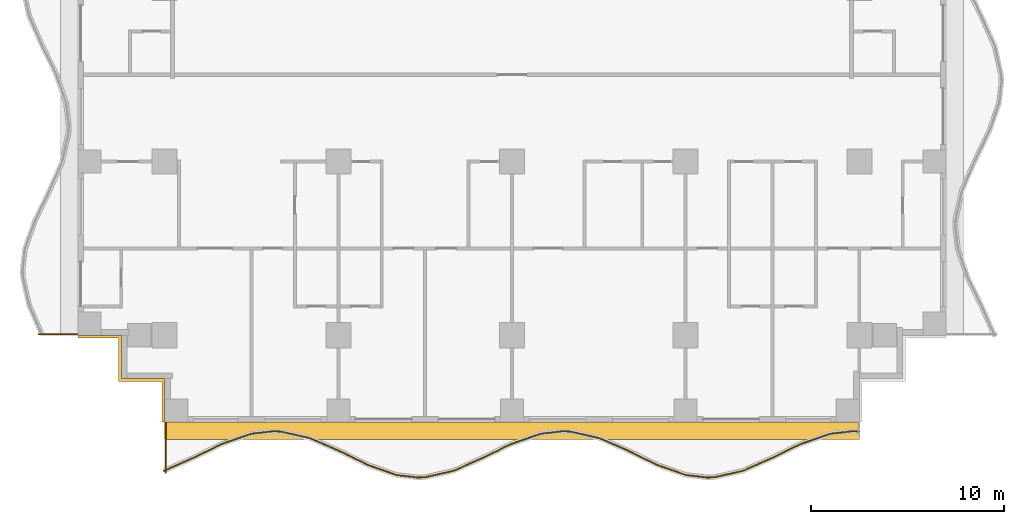
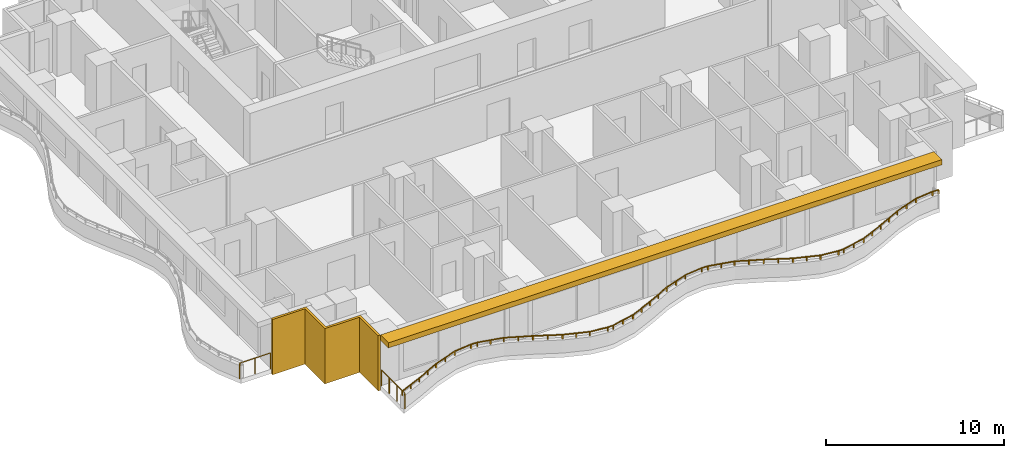
# One storey, part 7 of 10: 3 railings, 2 shading devices.
"""IFC4 building model written with IfcOpenShell, lengths in metres."""

from ifc_helpers import new_model, si_unit, direction, frame, origin, origin_2d, place, context, subcontext, project, spatial, polyline, rectangle, outline, extrude, material, layer, layer_set, type_object, element, save


model = new_model("IFC4")

# Units and contexts
model_context = context("Model", 3, precision=1e-05, world=origin(), true_north=direction((0.0, 1.0)))
body_context = subcontext(model_context, "Body", "Model", "MODEL_VIEW")
ifc_project = project(units=[si_unit("LENGTHUNIT", "METRE"), si_unit("AREAUNIT", "SQUARE_METRE"), si_unit("VOLUMEUNIT", "CUBIC_METRE"), si_unit("PLANEANGLEUNIT", "RADIAN"), si_unit("MASSUNIT", "GRAM", prefix="KILO")], contexts=[model_context])

# Site, building, storey
site_placement = place(None, origin())
site = spatial("IfcSite", under=ifc_project, at=site_placement, CompositionType="ELEMENT")
building_placement = place(site_placement, origin())
building = spatial("IfcBuilding", under=site, at=building_placement, Name="Orbiselva Terraces", CompositionType="ELEMENT")
storey_placement = place(building_placement, frame((0.0, 0.0, 125.0)))
storey = spatial("IfcBuildingStorey", under=building, at=storey_placement, Name="L31", CompositionType="ELEMENT", Elevation=125.0)

# Railings
ifc_material_1 = material(Name="Bonded two-ply safety glass balustrade, stainless steel posts", Category="steel")
railing_type_1 = type_object("IfcRailingType", Name="ENV-BALUSTRADE-1200", PredefinedType="BALUSTRADE", material=ifc_material_1)
railing_1_placement = place(storey_placement, frame((-18.050394, -20.534136, 0.9)))
element("IfcRailing", 1, at=railing_1_placement, inside=storey, type_object=railing_type_1, Name="Balcony balustrade L31 S", PredefinedType="BALUSTRADE", context=body_context, shape_type="SweptSolid", body=[
    extrude(outline(polyline([(0.028868, 0.0), (0.014434, 0.025), (-0.014434, 0.025), (-0.028868, 0.0), (-0.014434, -0.025), (0.014434, -0.025), (0.028868, 0.0)])), frame((0.0, 0.0, 0.275), z_axis=(0.915133498047, 0.403150940408, 0.0), x_axis=(-0.403150940408, 0.915133498047, 0.0)), (0.0, 0.0, 1.0), 1.636648),
    extrude(outline(polyline([(0.028868, 0.0), (0.014434, 0.025), (-0.014434, 0.025), (-0.028868, 0.0), (-0.014434, -0.025), (0.014434, -0.025), (0.028868, 0.0)])), frame((1.497751, 0.659816, 0.275), z_axis=(0.898578870221, 0.438812048596, 0.0), x_axis=(-0.438812048596, 0.898578870221, 0.0)), (0.0, 0.0, 1.0), 1.674225),
    extrude(outline(polyline([(0.028868, 0.0), (0.014434, 0.025), (-0.014434, 0.025), (-0.028868, 0.0), (-0.014434, -0.025), (0.014434, -0.025), (0.028868, 0.0)])), frame((3.002174, 1.394486, 0.275), z_axis=(0.943972332783, 0.330024597479, 0.0), x_axis=(-0.330024597479, 0.943972332783, 0.0)), (0.0, 0.0, 1.0), 1.610253),
    extrude(outline(polyline([(0.028868, 0.0), (0.014434, 0.025), (-0.014434, 0.025), (-0.028868, 0.0), (-0.014434, -0.025), (0.014434, -0.025), (0.028868, 0.0)])), frame((4.522208, 1.925909, 0.275), z_axis=(0.993309551734, 0.115482182324, 0.0), x_axis=(-0.115482182324, 0.993309551734, 0.0)), (0.0, 0.0, 1.0), 1.156135),
    extrude(outline(polyline([(0.028868, 0.0), (0.014434, 0.025), (-0.014434, 0.025), (-0.028868, 0.0), (-0.014434, -0.025), (0.014434, -0.025), (0.028868, 0.0)])), frame((5.670608, 2.059422, 0.275), z_axis=(0.999224734286, -0.03936915532, 0.0), x_axis=(0.03936915532, 0.999224734286, 0.0)), (0.0, 0.0, 1.0), 0.396376),
    extrude(outline(polyline([(0.028868, 0.0), (0.014434, 0.025), (-0.014434, 0.025), (-0.028868, 0.0), (-0.014434, -0.025), (0.014434, -0.025), (0.028868, 0.0)])), frame((6.066677, 2.043817, 0.275), z_axis=(0.97572137947, -0.219015500924, 0.0), x_axis=(0.219015500924, 0.97572137947, 0.0)), (0.0, 0.0, 1.0), 1.560867),
    extrude(outline(polyline([(0.028868, 0.0), (0.014434, 0.025), (-0.014434, 0.025), (-0.028868, 0.0), (-0.014434, -0.025), (0.014434, -0.025), (0.028868, 0.0)])), frame((7.589648, 1.701963, 0.275), z_axis=(0.915133527237, -0.403150874148, 0.0), x_axis=(0.403150874148, 0.915133527237, 0.0)), (0.0, 0.0, 1.0), 1.653736),
    extrude(outline(polyline([(0.028868, 0.0), (0.014434, 0.025), (-0.014434, 0.025), (-0.028868, 0.0), (-0.014434, -0.025), (0.014434, -0.025), (0.028868, 0.0)])), frame((9.103037, 1.035258, 0.275), z_axis=(0.89857890432, -0.438811978768, 0.0), x_axis=(0.438811978768, 0.89857890432, 0.0)), (0.0, 0.0, 1.0), 1.66438),
    extrude(outline(polyline([(0.028868, 0.0), (0.014434, 0.025), (-0.014434, 0.025), (-0.028868, 0.0), (-0.014434, -0.025), (0.014434, -0.025), (0.028868, 0.0)])), frame((10.598614, 0.304908, 0.275), z_axis=(0.943972277814, -0.330024754707, 0.0), x_axis=(0.330024754707, 0.943972277814, 0.0)), (0.0, 0.0, 1.0), 1.567807),
    extrude(outline(polyline([(0.028868, 0.0), (0.014434, 0.025), (-0.014434, 0.025), (-0.028868, 0.0), (-0.014434, -0.025), (0.014434, -0.025), (0.028868, 0.0)])), frame((12.07858, -0.212507, 0.275), z_axis=(0.993309658409, -0.115481264762, 0.0), x_axis=(0.115481264762, 0.993309658409, 0.0)), (0.0, 0.0, 1.0), 1.10902),
    extrude(outline(polyline([(0.028868, 0.0), (0.014434, 0.025), (-0.014434, 0.025), (-0.028868, 0.0), (-0.014434, -0.025), (0.014434, -0.025), (0.028868, 0.0)])), frame((13.18018, -0.340578, 0.275), z_axis=(0.999224931454, 0.039364150694, 0.0), x_axis=(-0.039364150694, 0.999224931454, 0.0)), (0.0, 0.0, 1.0), 0.354206),
    extrude(outline(polyline([(0.028868, 0.0), (0.014434, 0.025), (-0.014434, 0.025), (-0.028868, 0.0), (-0.014434, -0.025), (0.014434, -0.025), (0.028868, 0.0)])), frame((13.534111, -0.326635, 0.275), z_axis=(0.975721325753, 0.219015740235, 0.0), x_axis=(-0.219015740235, 0.975721325753, 0.0)), (0.0, 0.0, 1.0), 1.513782),
    extrude(outline(polyline([(0.028868, 0.0), (0.014434, 0.025), (-0.014434, 0.025), (-0.028868, 0.0), (-0.014434, -0.025), (0.014434, -0.025), (0.028868, 0.0)])), frame((15.01114, 0.004907, 0.275), z_axis=(0.915133363686, 0.403151245402, 0.0), x_axis=(-0.403151245402, 0.915133363686, 0.0)), (0.0, 0.0, 1.0), 1.624475),
    extrude(outline(polyline([(0.028868, 0.0), (0.014434, 0.025), (-0.014434, 0.025), (-0.028868, 0.0), (-0.014434, -0.025), (0.014434, -0.025), (0.028868, 0.0)])), frame((16.497751, 0.659816, 0.275), z_axis=(0.898578870221, 0.438812048596, 0.0), x_axis=(-0.438812048596, 0.898578870221, 0.0)), (0.0, 0.0, 1.0), 1.674225),
    extrude(outline(polyline([(0.028868, 0.0), (0.014434, 0.025), (-0.014434, 0.025), (-0.028868, 0.0), (-0.014434, -0.025), (0.014434, -0.025), (0.028868, 0.0)])), frame((18.002174, 1.394486, 0.275), z_axis=(0.943972332783, 0.330024597479, 0.0), x_axis=(-0.330024597479, 0.943972332783, 0.0)), (0.0, 0.0, 1.0), 1.610253),
    extrude(outline(polyline([(0.028868, 0.0), (0.014434, 0.025), (-0.014434, 0.025), (-0.028868, 0.0), (-0.014434, -0.025), (0.014434, -0.025), (0.028868, 0.0)])), frame((19.522208, 1.925909, 0.275), z_axis=(0.993309551734, 0.115482182324, 0.0), x_axis=(-0.115482182324, 0.993309551734, 0.0)), (0.0, 0.0, 1.0), 1.156135),
    extrude(outline(polyline([(0.028868, 0.0), (0.014434, 0.025), (-0.014434, 0.025), (-0.028868, 0.0), (-0.014434, -0.025), (0.014434, -0.025), (0.028868, 0.0)])), frame((20.670608, 2.059422, 0.275), z_axis=(0.999224734286, -0.03936915532, 0.0), x_axis=(0.03936915532, 0.999224734286, 0.0)), (0.0, 0.0, 1.0), 0.396376),
    extrude(outline(polyline([(0.028868, 0.0), (0.014434, 0.025), (-0.014434, 0.025), (-0.028868, 0.0), (-0.014434, -0.025), (0.014434, -0.025), (0.028868, 0.0)])), frame((21.066677, 2.043817, 0.275), z_axis=(0.97572137947, -0.219015500924, 0.0), x_axis=(0.219015500924, 0.97572137947, 0.0)), (0.0, 0.0, 1.0), 1.560867),
    extrude(outline(polyline([(0.028868, 0.0), (0.014434, 0.025), (-0.014434, 0.025), (-0.028868, 0.0), (-0.014434, -0.025), (0.014434, -0.025), (0.028868, 0.0)])), frame((22.589648, 1.701963, 0.275), z_axis=(0.915133527237, -0.403150874148, 0.0), x_axis=(0.403150874148, 0.915133527237, 0.0)), (0.0, 0.0, 1.0), 1.653736),
    extrude(outline(polyline([(0.028868, 0.0), (0.014434, 0.025), (-0.014434, 0.025), (-0.028868, 0.0), (-0.014434, -0.025), (0.014434, -0.025), (0.028868, 0.0)])), frame((24.103037, 1.035258, 0.275), z_axis=(0.89857890432, -0.438811978768, 0.0), x_axis=(0.438811978768, 0.89857890432, 0.0)), (0.0, 0.0, 1.0), 1.66438),
    extrude(outline(polyline([(0.028868, 0.0), (0.014434, 0.025), (-0.014434, 0.025), (-0.028868, 0.0), (-0.014434, -0.025), (0.014434, -0.025), (0.028868, 0.0)])), frame((25.598614, 0.304908, 0.275), z_axis=(0.943972277814, -0.330024754707, 0.0), x_axis=(0.330024754707, 0.943972277814, 0.0)), (0.0, 0.0, 1.0), 1.567807),
    extrude(outline(polyline([(0.028868, 0.0), (0.014434, 0.025), (-0.014434, 0.025), (-0.028868, 0.0), (-0.014434, -0.025), (0.014434, -0.025), (0.028868, 0.0)])), frame((27.07858, -0.212507, 0.275), z_axis=(0.993309658409, -0.115481264762, 0.0), x_axis=(0.115481264762, 0.993309658409, 0.0)), (0.0, 0.0, 1.0), 1.10902),
    extrude(outline(polyline([(0.028868, 0.0), (0.014434, 0.025), (-0.014434, 0.025), (-0.028868, 0.0), (-0.014434, -0.025), (0.014434, -0.025), (0.028868, 0.0)])), frame((28.18018, -0.340578, 0.275), z_axis=(0.999224931454, 0.039364150694, 0.0), x_axis=(-0.039364150694, 0.999224931454, 0.0)), (0.0, 0.0, 1.0), 0.354206),
    extrude(outline(polyline([(0.028868, 0.0), (0.014434, 0.025), (-0.014434, 0.025), (-0.028868, 0.0), (-0.014434, -0.025), (0.014434, -0.025), (0.028868, 0.0)])), frame((28.534111, -0.326635, 0.275), z_axis=(0.975721325753, 0.219015740235, 0.0), x_axis=(-0.219015740235, 0.975721325753, 0.0)), (0.0, 0.0, 1.0), 1.513782),
    extrude(outline(polyline([(0.028868, 0.0), (0.014434, 0.025), (-0.014434, 0.025), (-0.028868, 0.0), (-0.014434, -0.025), (0.014434, -0.025), (0.028868, 0.0)])), frame((30.01114, 0.004907, 0.275), z_axis=(0.915133363686, 0.403151245402, 0.0), x_axis=(-0.403151245402, 0.915133363686, 0.0)), (0.0, 0.0, 1.0), 1.624475),
    extrude(outline(polyline([(0.028868, 0.0), (0.014434, 0.025), (-0.014434, 0.025), (-0.028868, 0.0), (-0.014434, -0.025), (0.014434, -0.025), (0.028868, 0.0)])), frame((31.497751, 0.659816, 0.275), z_axis=(0.898578870221, 0.438812048596, 0.0), x_axis=(-0.438812048596, 0.898578870221, 0.0)), (0.0, 0.0, 1.0), 1.674225),
    extrude(outline(polyline([(0.028868, 0.0), (0.014434, 0.025), (-0.014434, 0.025), (-0.028868, 0.0), (-0.014434, -0.025), (0.014434, -0.025), (0.028868, 0.0)])), frame((33.002174, 1.394486, 0.275), z_axis=(0.943972332783, 0.330024597479, 0.0), x_axis=(-0.330024597479, 0.943972332783, 0.0)), (0.0, 0.0, 1.0), 1.610253),
    extrude(outline(polyline([(0.028868, 0.0), (0.014434, 0.025), (-0.014434, 0.025), (-0.028868, 0.0), (-0.014434, -0.025), (0.014434, -0.025), (0.028868, 0.0)])), frame((34.522208, 1.925909, 0.275), z_axis=(0.993309551734, 0.115482182324, 0.0), x_axis=(-0.115482182324, 0.993309551734, 0.0)), (0.0, 0.0, 1.0), 1.156135),
    extrude(outline(polyline([(0.028868, 0.0), (0.014434, 0.025), (-0.014434, 0.025), (-0.028868, 0.0), (-0.014434, -0.025), (0.014434, -0.025), (0.028868, 0.0)])), frame((35.670608, 2.059422, 0.275), z_axis=(0.999224769087, -0.039368272023, 0.0), x_axis=(0.039368272023, 0.999224769087, 0.0)), (0.0, 0.0, 1.0), 0.385005),
    extrude(rectangle(XDim=0.05, YDim=0.05, at=origin_2d()), origin(), (0.0, 0.0, 1.0), 0.25),
    extrude(rectangle(XDim=0.05, YDim=0.05, at=origin_2d()), frame((0.748876, 0.329908, 0.0)), (0.0, 0.0, 1.0), 0.25),
    extrude(rectangle(XDim=0.05, YDim=0.05, at=origin_2d()), frame((1.497751, 0.659816, 0.0)), (0.0, 0.0, 1.0), 0.25),
    extrude(rectangle(XDim=0.05, YDim=0.05, at=origin_2d()), frame((2.249963, 1.027151, 0.0)), (0.0, 0.0, 1.0), 0.25),
    extrude(rectangle(XDim=0.05, YDim=0.05, at=origin_2d()), frame((3.002174, 1.394486, 0.0)), (0.0, 0.0, 1.0), 0.25),
    extrude(rectangle(XDim=0.05, YDim=0.05, at=origin_2d()), frame((3.762191, 1.660198, 0.0)), (0.0, 0.0, 1.0), 0.25),
    extrude(rectangle(XDim=0.05, YDim=0.05, at=origin_2d()), frame((4.522208, 1.925909, 0.0)), (0.0, 0.0, 1.0), 0.25),
    extrude(rectangle(XDim=0.05, YDim=0.05, at=origin_2d()), frame((5.670608, 2.059422, 0.0)), (0.0, 0.0, 1.0), 0.25),
    extrude(rectangle(XDim=0.05, YDim=0.05, at=origin_2d()), frame((6.066677, 2.043817, 0.0)), (0.0, 0.0, 1.0), 0.25),
    extrude(rectangle(XDim=0.05, YDim=0.05, at=origin_2d()), frame((6.828162, 1.87289, 0.0)), (0.0, 0.0, 1.0), 0.25),
    extrude(rectangle(XDim=0.05, YDim=0.05, at=origin_2d()), frame((7.589648, 1.701963, 0.0)), (0.0, 0.0, 1.0), 0.25),
    extrude(rectangle(XDim=0.05, YDim=0.05, at=origin_2d()), frame((8.346342, 1.36861, 0.0)), (0.0, 0.0, 1.0), 0.25),
    extrude(rectangle(XDim=0.05, YDim=0.05, at=origin_2d()), frame((9.103037, 1.035258, 0.0)), (0.0, 0.0, 1.0), 0.25),
    extrude(rectangle(XDim=0.05, YDim=0.05, at=origin_2d()), frame((9.850826, 0.670083, 0.0)), (0.0, 0.0, 1.0), 0.25),
    extrude(rectangle(XDim=0.05, YDim=0.05, at=origin_2d()), frame((10.598614, 0.304908, 0.0)), (0.0, 0.0, 1.0), 0.25),
    extrude(rectangle(XDim=0.05, YDim=0.05, at=origin_2d()), frame((11.338597, 0.046201, 0.0)), (0.0, 0.0, 1.0), 0.25),
    extrude(rectangle(XDim=0.05, YDim=0.05, at=origin_2d()), frame((12.07858, -0.212507, 0.0)), (0.0, 0.0, 1.0), 0.25),
    extrude(rectangle(XDim=0.05, YDim=0.05, at=origin_2d()), frame((13.18018, -0.340578, 0.0)), (0.0, 0.0, 1.0), 0.25),
    extrude(rectangle(XDim=0.05, YDim=0.05, at=origin_2d()), frame((13.534111, -0.326635, 0.0)), (0.0, 0.0, 1.0), 0.25),
    extrude(rectangle(XDim=0.05, YDim=0.05, at=origin_2d()), frame((14.272626, -0.160864, 0.0)), (0.0, 0.0, 1.0), 0.25),
    extrude(rectangle(XDim=0.05, YDim=0.05, at=origin_2d()), frame((15.01114, 0.004907, 0.0)), (0.0, 0.0, 1.0), 0.25),
    extrude(rectangle(XDim=0.05, YDim=0.05, at=origin_2d()), frame((15.754446, 0.332361, 0.0)), (0.0, 0.0, 1.0), 0.25),
    extrude(rectangle(XDim=0.05, YDim=0.05, at=origin_2d()), frame((16.497751, 0.659816, 0.0)), (0.0, 0.0, 1.0), 0.25),
    extrude(rectangle(XDim=0.05, YDim=0.05, at=origin_2d()), frame((17.249963, 1.027151, 0.0)), (0.0, 0.0, 1.0), 0.25),
    extrude(rectangle(XDim=0.05, YDim=0.05, at=origin_2d()), frame((18.002174, 1.394486, 0.0)), (0.0, 0.0, 1.0), 0.25),
    extrude(rectangle(XDim=0.05, YDim=0.05, at=origin_2d()), frame((18.762191, 1.660198, 0.0)), (0.0, 0.0, 1.0), 0.25),
    extrude(rectangle(XDim=0.05, YDim=0.05, at=origin_2d()), frame((19.522208, 1.925909, 0.0)), (0.0, 0.0, 1.0), 0.25),
    extrude(rectangle(XDim=0.05, YDim=0.05, at=origin_2d()), frame((20.670608, 2.059422, 0.0)), (0.0, 0.0, 1.0), 0.25),
    extrude(rectangle(XDim=0.05, YDim=0.05, at=origin_2d()), frame((21.066677, 2.043817, 0.0)), (0.0, 0.0, 1.0), 0.25),
    extrude(rectangle(XDim=0.05, YDim=0.05, at=origin_2d()), frame((21.828162, 1.87289, 0.0)), (0.0, 0.0, 1.0), 0.25),
    extrude(rectangle(XDim=0.05, YDim=0.05, at=origin_2d()), frame((22.589648, 1.701963, 0.0)), (0.0, 0.0, 1.0), 0.25),
    extrude(rectangle(XDim=0.05, YDim=0.05, at=origin_2d()), frame((23.346342, 1.36861, 0.0)), (0.0, 0.0, 1.0), 0.25),
    extrude(rectangle(XDim=0.05, YDim=0.05, at=origin_2d()), frame((24.103037, 1.035258, 0.0)), (0.0, 0.0, 1.0), 0.25),
    extrude(rectangle(XDim=0.05, YDim=0.05, at=origin_2d()), frame((24.850826, 0.670083, 0.0)), (0.0, 0.0, 1.0), 0.25),
    extrude(rectangle(XDim=0.05, YDim=0.05, at=origin_2d()), frame((25.598614, 0.304908, 0.0)), (0.0, 0.0, 1.0), 0.25),
    extrude(rectangle(XDim=0.05, YDim=0.05, at=origin_2d()), frame((26.338597, 0.046201, 0.0)), (0.0, 0.0, 1.0), 0.25),
    extrude(rectangle(XDim=0.05, YDim=0.05, at=origin_2d()), frame((27.07858, -0.212507, 0.0)), (0.0, 0.0, 1.0), 0.25),
    extrude(rectangle(XDim=0.05, YDim=0.05, at=origin_2d()), frame((28.18018, -0.340578, 0.0)), (0.0, 0.0, 1.0), 0.25),
    extrude(rectangle(XDim=0.05, YDim=0.05, at=origin_2d()), frame((28.534111, -0.326635, 0.0)), (0.0, 0.0, 1.0), 0.25),
    extrude(rectangle(XDim=0.05, YDim=0.05, at=origin_2d()), frame((29.272626, -0.160864, 0.0)), (0.0, 0.0, 1.0), 0.25),
    extrude(rectangle(XDim=0.05, YDim=0.05, at=origin_2d()), frame((30.01114, 0.004907, 0.0)), (0.0, 0.0, 1.0), 0.25),
    extrude(rectangle(XDim=0.05, YDim=0.05, at=origin_2d()), frame((30.754446, 0.332361, 0.0)), (0.0, 0.0, 1.0), 0.25),
    extrude(rectangle(XDim=0.05, YDim=0.05, at=origin_2d()), frame((31.497751, 0.659816, 0.0)), (0.0, 0.0, 1.0), 0.25),
    extrude(rectangle(XDim=0.05, YDim=0.05, at=origin_2d()), frame((32.249962, 1.027151, 0.0)), (0.0, 0.0, 1.0), 0.25),
    extrude(rectangle(XDim=0.05, YDim=0.05, at=origin_2d()), frame((33.002174, 1.394486, 0.0)), (0.0, 0.0, 1.0), 0.25),
    extrude(rectangle(XDim=0.05, YDim=0.05, at=origin_2d()), frame((33.762191, 1.660198, 0.0)), (0.0, 0.0, 1.0), 0.25),
    extrude(rectangle(XDim=0.05, YDim=0.05, at=origin_2d()), frame((34.522208, 1.925909, 0.0)), (0.0, 0.0, 1.0), 0.25),
    extrude(rectangle(XDim=0.05, YDim=0.05, at=origin_2d()), frame((35.670608, 2.059422, 0.0)), (0.0, 0.0, 1.0), 0.25),
    extrude(rectangle(XDim=0.05, YDim=0.05, at=origin_2d()), frame((36.055315, 2.044265, 0.0)), (0.0, 0.0, 1.0), 0.25),
])
ifc_material_2 = material(Name="Stainless steel rail and posts", Category="steel")
railing_type_2 = type_object("IfcRailingType", Name="ENV-GUARD-1105", PredefinedType="BALUSTRADE", material=ifc_material_2)
railing_2_placement = place(storey_placement, frame((-17.94, -20.626937, 0.0)))
element("IfcRailing", 2, at=railing_2_placement, inside=storey, type_object=railing_type_2, Name="Balcony end guard L31 S", PredefinedType="BALUSTRADE", context=body_context, shape_type="SweptSolid", body=[
    extrude(outline(polyline([(0.028868, 0.0), (0.014434, 0.025), (-0.014434, 0.025), (-0.028868, 0.0), (-0.014434, -0.025), (0.014434, -0.025), (0.028868, 0.0)])), frame((0.0, 0.0, 1.08), z_axis=(0.0, 1.0, 0.0), x_axis=(-1.0, 0.0, 0.0)), (0.0, 0.0, 1.0), 2.601937),
    extrude(rectangle(XDim=0.05, YDim=0.05, at=origin_2d()), origin(), (0.0, 0.0, 1.0), 1.055),
    extrude(rectangle(XDim=0.05, YDim=0.05, at=origin_2d()), frame((0.0, 0.867312, 0.0)), (0.0, 0.0, 1.0), 1.055),
    extrude(rectangle(XDim=0.05, YDim=0.05, at=origin_2d()), frame((0.0, 1.734625, 0.0)), (0.0, 0.0, 1.0), 1.055),
    extrude(rectangle(XDim=0.05, YDim=0.05, at=origin_2d()), frame((0.0, 2.601937, 0.0)), (0.0, 0.0, 1.0), 1.055),
])
railing_3_placement = place(storey_placement, frame((-24.517447, -13.44, 0.0)))
element("IfcRailing", 3, at=railing_3_placement, inside=storey, type_object=railing_type_2, Name="Balcony end guard L31 W", PredefinedType="BALUSTRADE", context=body_context, shape_type="SweptSolid", body=[
    extrude(outline(polyline([(0.028868, 0.0), (0.014434, 0.025), (-0.014434, 0.025), (-0.028868, 0.0), (-0.014434, -0.025), (0.014434, -0.025), (0.028868, 0.0)])), frame((0.0, 0.0, 1.08), z_axis=(1.0, 0.0, 0.0), x_axis=(0.0, 1.0, 0.0)), (0.0, 0.0, 1.0), 1.992447),
    extrude(rectangle(XDim=0.05, YDim=0.05, at=origin_2d()), origin(), (0.0, 0.0, 1.0), 1.055),
    extrude(rectangle(XDim=0.05, YDim=0.05, at=origin_2d()), frame((0.996224, 0.0, 0.0)), (0.0, 0.0, 1.0), 1.055),
    extrude(rectangle(XDim=0.05, YDim=0.05, at=origin_2d()), frame((1.992447, 0.0, 0.0)), (0.0, 0.0, 1.0), 1.055),
])

# Shading devices
ifc_material_3 = material(Name="Terracotta louvre screen", Category="masonry")
ifc_layer_1 = layer(ifc_material_3, 0.15)
ifc_layer_set_1 = layer_set([ifc_layer_1], Name="Terracotta louvre screen")
shading_device_type_1 = type_object("IfcShadingDeviceType", Name="ENV-SCREEN-150", PredefinedType="USERDEFINED", material=ifc_layer_set_1)
shading_device_1_placement = place(storey_placement, frame((0.0, 0.0, -0.3)))
element("IfcShadingDevice", 4, at=shading_device_1_placement, inside=storey, type_object=shading_device_type_1, Name="Louvre screen L31 SW", ObjectType="SCREEN", PredefinedType="USERDEFINED", context=body_context, shape_type="SweptSolid", body=[
    extrude(outline(polyline([(-22.5, -13.65), (-20.4, -13.65), (-20.4, -15.9), (-18.15, -15.9), (-18.15, -18.0), (-18.0, -18.0), (-18.0, -15.75), (-20.25, -15.75), (-20.25, -13.5), (-22.5, -13.5), (-22.5, -13.65)])), origin(), (0.0, 0.0, 1.0), 3.8),
])
ifc_material_4 = material(Name="Terracotta baguette sunshade", Category="masonry")
ifc_layer_2 = layer(ifc_material_4, 0.35)
ifc_layer_set_2 = layer_set([ifc_layer_2], Name="Terracotta baguette sunshade")
shading_device_type_2 = type_object("IfcShadingDeviceType", Name="ENV-SUNSHADE-900x350", PredefinedType="USERDEFINED", material=ifc_layer_set_2)
shading_device_2_placement = place(storey_placement, frame((0.0, 0.0, 3.15)))
element("IfcShadingDevice", 5, at=shading_device_2_placement, inside=storey, type_object=shading_device_type_2, Name="Sunshade band L31 S", ObjectType="SUNSHADE", PredefinedType="USERDEFINED", context=body_context, shape_type="SweptSolid", body=[
    extrude(outline(polyline([(-18.0, -18.9), (18.0, -18.9), (18.0, -18.0), (-18.0, -18.0), (-18.0, -18.9)])), origin(), (0.0, 0.0, 1.0), 0.35),
])

save(model, "model.ifc")
